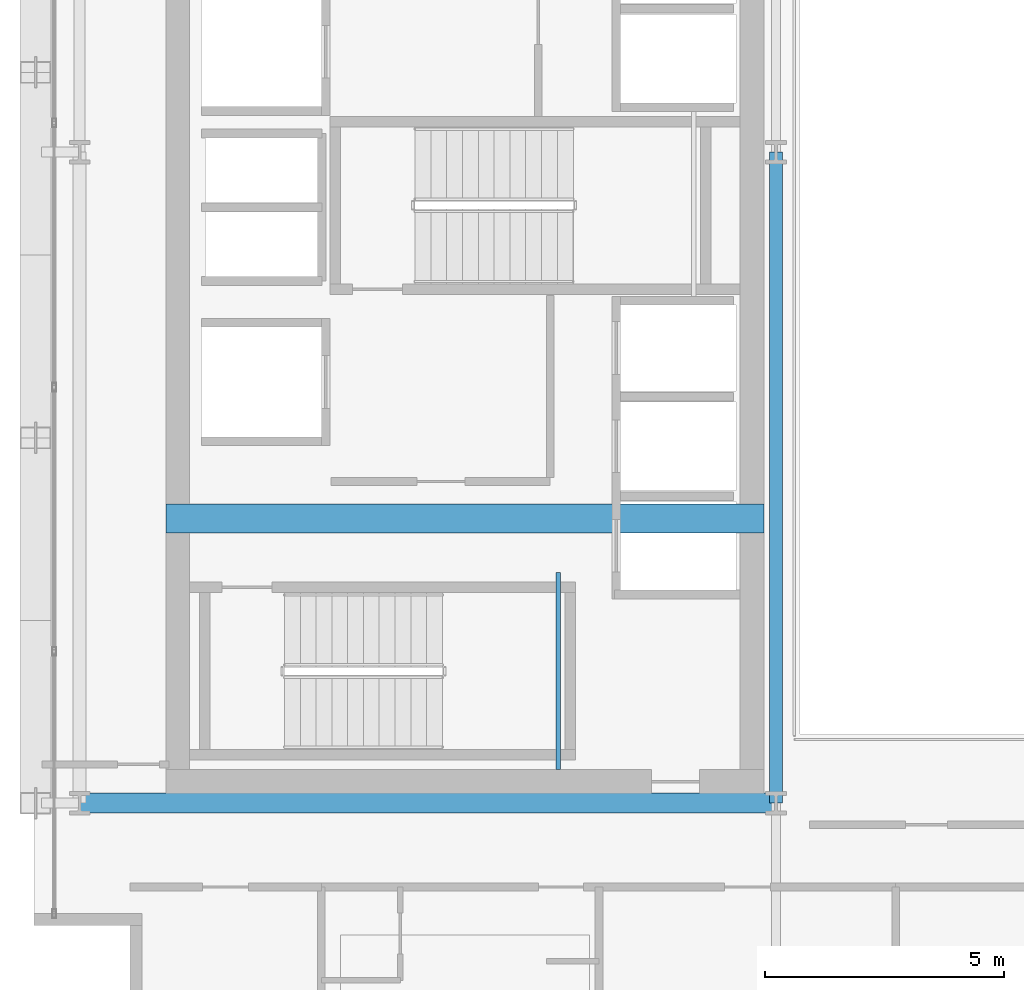
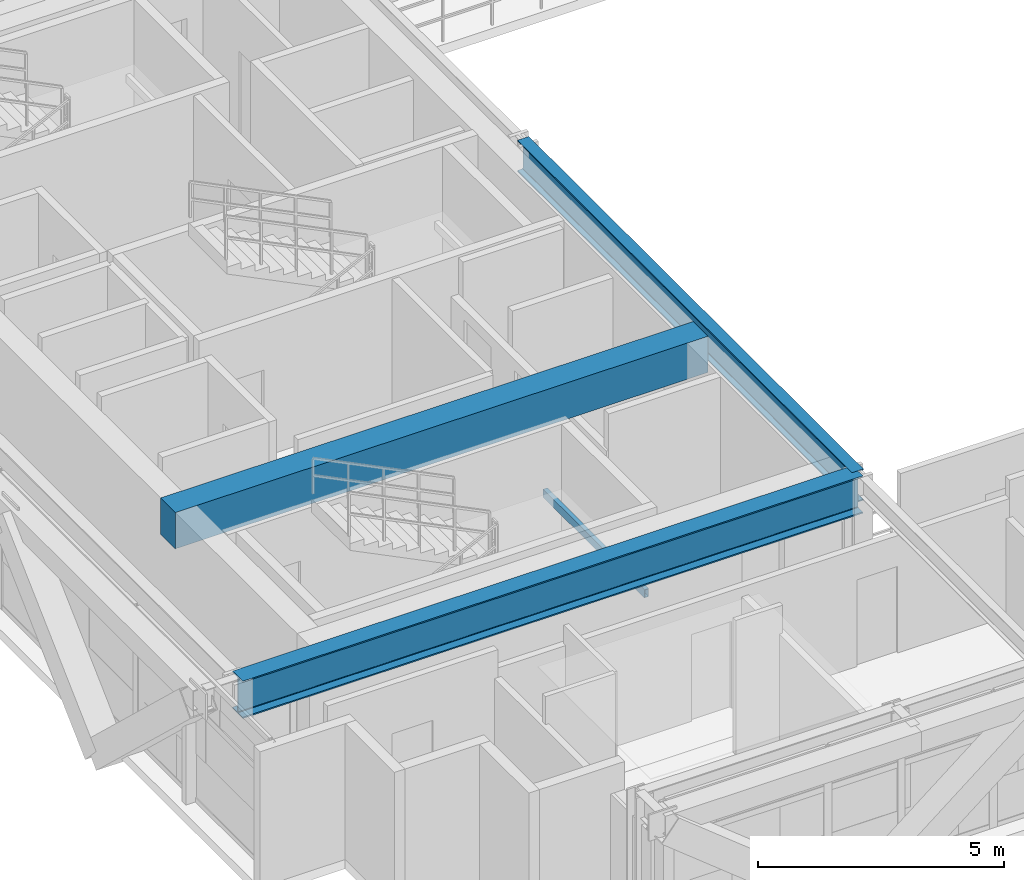
# One storey, part 5 of 32: 4 beams.
"""IFC4 building model written with IfcOpenShell, lengths in metres."""

from ifc_helpers import new_model, si_unit, direction, frame, origin, origin_2d, place, context, subcontext, project, spatial, rectangle, hollow_rectangle, i_section, extrude, source, transform, mapped, material, material_profile, profile_set, type_object, element, save


model = new_model("IFC4")

# Units and contexts
model_context = context("Model", 3, precision=1e-05, world=origin(), true_north=direction((0.0, 1.0)))
body_context = subcontext(model_context, "Body", "Model", "MODEL_VIEW")
ifc_project = project(units=[si_unit("LENGTHUNIT", "METRE"), si_unit("AREAUNIT", "SQUARE_METRE"), si_unit("VOLUMEUNIT", "CUBIC_METRE"), si_unit("PLANEANGLEUNIT", "RADIAN"), si_unit("MASSUNIT", "GRAM", prefix="KILO")], contexts=[model_context])

# Site, building, storey
site_placement = place(None, origin())
site = spatial("IfcSite", under=ifc_project, at=site_placement, CompositionType="ELEMENT")
building_placement = place(site_placement, origin())
building = spatial("IfcBuilding", under=site, at=building_placement, Name="Ocotamira Hotel", CompositionType="ELEMENT")
storey_placement = place(building_placement, frame((0.0, 0.0, 184.800048828125)))
storey = spatial("IfcBuildingStorey", under=building, at=storey_placement, Name="L46", CompositionType="ELEMENT", Elevation=184.800048828125)

# Beams
ifc_material_1 = material(Name="Concrete C50/60", Category="concrete")
ifc_material_profile_1 = material_profile(ifc_material_1, rectangle(XDim=0.60009765625, YDim=0.89990234375, at=origin_2d()), Name="RC600X900")
ifc_profile_set_1 = profile_set([ifc_material_profile_1], Name="Concrete C50/60")
beam_type_1 = type_object("IfcBeamType", Name="BM-LINK-RC600", PredefinedType="LINTEL", material=ifc_profile_set_1)
shared_shape_1 = source(origin(), body_context, "Body", "SweptSolid", [
    extrude(rectangle(XDim=0.60009765625, YDim=0.89990234375, at=origin_2d()), origin(), (0.0, 0.0, 1.0), 12.5),
])
beam_1_placement = place(storey_placement, frame((10.75, 20.5, 2.919921875), z_axis=(1.0, 0.0, 0.0), x_axis=(0.0, 1.0, 0.0)))
element("IfcBeam", 1, at=beam_1_placement, inside=storey, type_object=beam_type_1, Name="L46 West Core Coupling Beam", PredefinedType="LINTEL", context=body_context, shape_type="MappedRepresentation", body=[
    mapped(shared_shape_1, transform((0.0, 0.0, 0.0), scale=1.0)),
])
ifc_material_2 = material(Name="Steel ASTM A500 Grade C", Category="steel")
ifc_material_profile_2 = material_profile(ifc_material_2, hollow_rectangle(XDim=0.10009765625, YDim=0.199951171875, WallThickness=0.008056640625, at=origin_2d()), Name="HSS200X100X8")
ifc_profile_set_2 = profile_set([ifc_material_profile_2], Name="Steel ASTM A500 Grade C")
beam_type_2 = type_object("IfcBeamType", Name="BM-STLDG-HSS200", PredefinedType="BEAM", material=ifc_profile_set_2)
shared_shape_2 = source(origin(), body_context, "Body", "SweptSolid", [
    extrude(hollow_rectangle(XDim=0.10009765625, YDim=0.199951171875, WallThickness=0.008056640625, at=origin_2d()), origin(), (0.0, 0.0, 1.0), 4.1201171875),
])
beam_2_placement = place(storey_placement, frame((18.949951171875, 15.25, 1.5), z_axis=(0.0, 1.0, 0.0), x_axis=(-1.0, 0.0, 0.0)))
element("IfcBeam", 2, at=beam_2_placement, inside=storey, type_object=beam_type_2, Name="L46 Stair ST-1 Landing Bearer 1", PredefinedType="BEAM", context=body_context, shape_type="MappedRepresentation", body=[
    mapped(shared_shape_2, transform((0.0, 0.0, 0.0), scale=1.0)),
])
ifc_material_3 = material(Name="Steel ASTM A992 Grade 50", Category="steel")
ifc_material_profile_3 = material_profile(ifc_material_3, i_section(OverallWidth=0.41796875, OverallDepth=0.927001953125, WebThickness=0.019287109375, FlangeThickness=0.031982421875, FilletRadius=0.02392578125, at=origin_2d()), Name="W36X231")
ifc_profile_set_3 = profile_set([ifc_material_profile_3], Name="Steel ASTM A992 Grade 50")
beam_type_3 = type_object("IfcBeamType", Name="BM-GIRD-W36X231", PredefinedType="BEAM", material=ifc_profile_set_3)
shared_shape_3 = source(origin(), body_context, "Body", "SweptSolid", [
    extrude(i_section(OverallWidth=0.41796875, OverallDepth=0.927001953125, WebThickness=0.019287109375, FlangeThickness=0.031982421875, FilletRadius=0.02392578125, at=origin_2d()), origin(), (0.0, 0.0, 1.0), 14.550048828125),
])
beam_3_placement = place(storey_placement, frame((8.949951171875, 14.550048828125, 2.906494140625), z_axis=(1.0, 0.0, 0.0), x_axis=(0.0, 1.0, 0.0)))
element("IfcBeam", 3, at=beam_3_placement, inside=storey, type_object=beam_type_3, Name="L46 Girder Y14.55 X8.95-23.5", PredefinedType="BEAM", context=body_context, shape_type="MappedRepresentation", body=[
    mapped(shared_shape_3, transform((0.0, 0.0, 0.0), scale=1.0)),
])
ifc_material_profile_4 = material_profile(ifc_material_3, i_section(OverallWidth=0.26611328125, OverallDepth=0.779052734375, WebThickness=0.0166015625, FlangeThickness=0.030029296875, FilletRadius=0.01806640625, at=origin_2d()), Name="W30X148")
ifc_profile_set_4 = profile_set([ifc_material_profile_4], Name="Steel ASTM A992 Grade 50")
beam_type_4 = type_object("IfcBeamType", Name="BM-GIRD-W30X148", PredefinedType="BEAM", material=ifc_profile_set_4)
shared_shape_4 = source(origin(), body_context, "Body", "SweptSolid", [
    extrude(i_section(OverallWidth=0.26611328125, OverallDepth=0.779052734375, WebThickness=0.0166015625, FlangeThickness=0.030029296875, FilletRadius=0.01806640625, at=origin_2d()), origin(), (0.0, 0.0, 1.0), 13.599853515625),
])
beam_4_placement = place(storey_placement, frame((23.5, 14.550048828125, 2.98046875), z_axis=(0.0, 1.0, 0.0), x_axis=(-1.0, 0.0, 0.0)))
element("IfcBeam", 4, at=beam_4_placement, inside=storey, type_object=beam_type_4, Name="L46 Beam X23.5 Y14.55-28.15", PredefinedType="BEAM", context=body_context, shape_type="MappedRepresentation", body=[
    mapped(shared_shape_4, transform((0.0, 0.0, 0.0), scale=1.0)),
])

save(model, "model.ifc")
